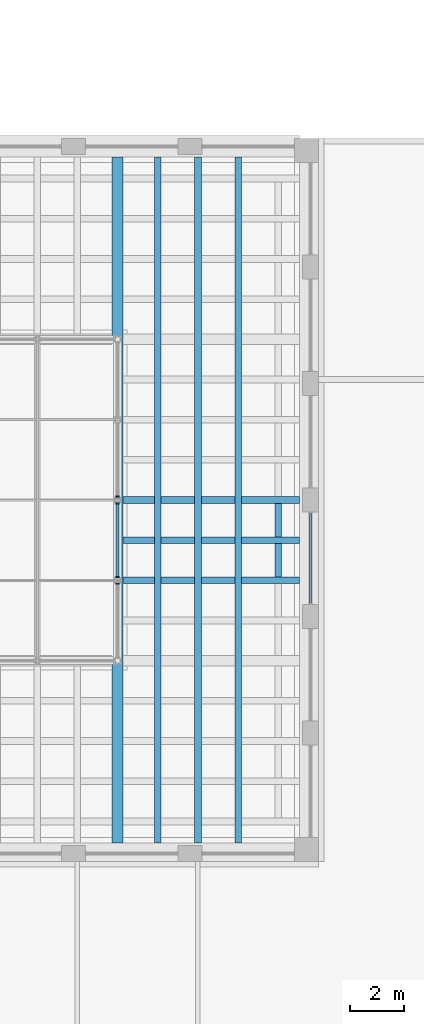
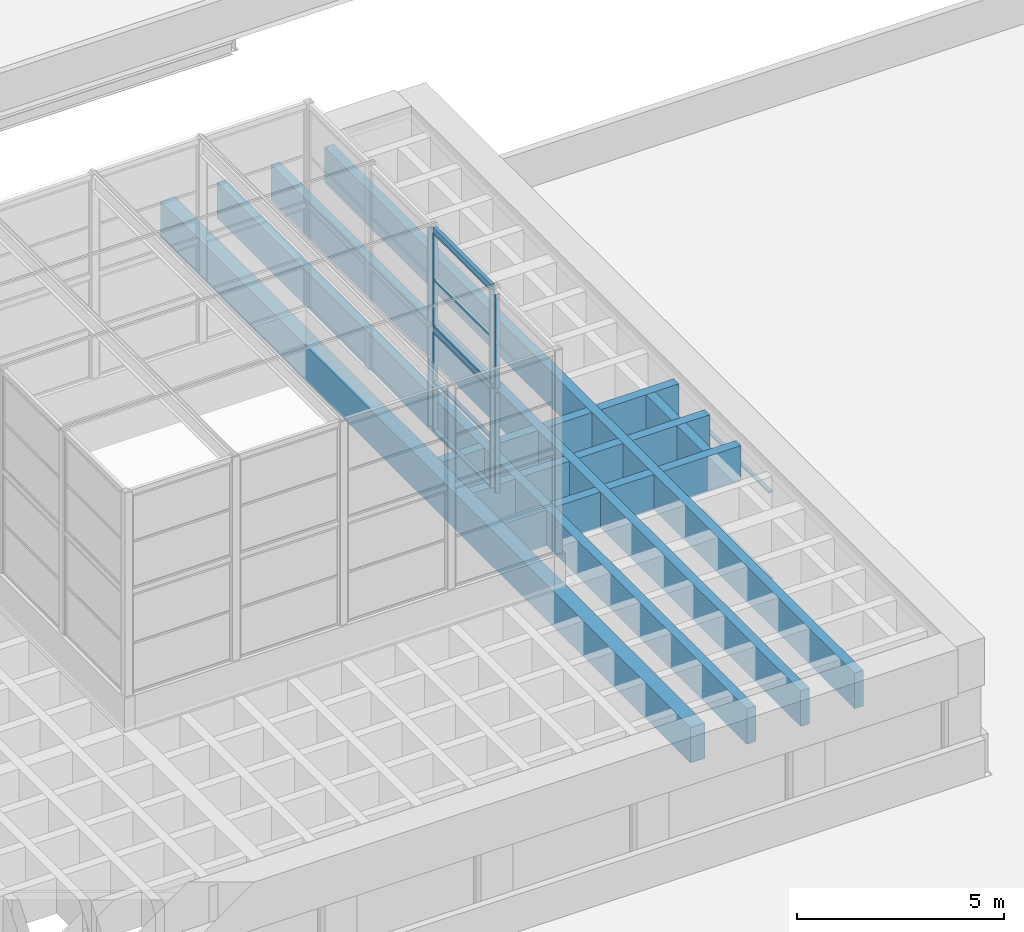
# One storey, part 31 of 50: 20 beams, 16 members, 7 elements without a shape of their own.
"""IFC4 building model written with IfcOpenShell, lengths in metres."""

from ifc_helpers import new_model, si_unit, direction, frame, origin, origin_2d, place, context, subcontext, project, spatial, rectangle, hollow_rectangle, extrude, material, layer, layer_set, material_profile, profile_set, type_object, element, aggregate, save


model = new_model("IFC4")

# Units and contexts
model_context = context("Model", 3, precision=1e-05, world=origin(), true_north=direction((0.0, 1.0)))
body_context = subcontext(model_context, "Body", "Model", "MODEL_VIEW")
ifc_project = project(units=[si_unit("LENGTHUNIT", "METRE"), si_unit("AREAUNIT", "SQUARE_METRE"), si_unit("VOLUMEUNIT", "CUBIC_METRE"), si_unit("PLANEANGLEUNIT", "RADIAN"), si_unit("MASSUNIT", "GRAM", prefix="KILO")], contexts=[model_context])

# Site, building, storey
site_placement = place(None, origin())
site = spatial("IfcSite", under=ifc_project, at=site_placement, CompositionType="ELEMENT")
building_placement = place(site_placement, origin())
building = spatial("IfcBuilding", under=site, at=building_placement, Name="Corbel Yard City Hall", CompositionType="ELEMENT")
storey_placement = place(building_placement, frame((0.0, 0.0, 15.0)))
storey = spatial("IfcBuildingStorey", under=building, at=storey_placement, Name="L03", CompositionType="ELEMENT", Elevation=15.0)

# Beams
ifc_material_1 = material(Name="Concrete N50 (50 MPa)", Category="concrete")
ifc_material_profile_1 = material_profile(ifc_material_1, rectangle(XDim=0.25, YDim=1.050048828125, at=origin_2d()), Name="250x1050")
ifc_profile_set_1 = profile_set([ifc_material_profile_1], Name="Concrete N50 (50 MPa)")
beam_type_1 = type_object("IfcBeamType", Name="Coffer cross rib RC 250X1050", PredefinedType="T_BEAM", material=ifc_profile_set_1)
for number, where, z_axis, x_axis, name in (
    (1, (142.5, 64.625, 3.125), (0.0, 1.0, 0.0), (-1.0, 0.0, 0.0), "Coffer cross rib RB3"),
    (2, (142.5, 66.125, 3.125), (0.0, 1.0, 0.0), (-1.0, 0.0, 0.0), "Coffer cross rib RB3"),
):
    element("IfcBeam", number, at=place(storey_placement, frame(where, z_axis=z_axis, x_axis=x_axis)), inside=storey, type_object=beam_type_1, Name=name, PredefinedType="T_BEAM", context=body_context, shape_type="SweptSolid", body=[
        extrude(rectangle(XDim=0.25, YDim=1.050048828125, at=origin_2d()), origin(), (0.0, 0.0, 1.0), 1.25),
    ])
beam_1_placement = place(storey_placement, frame((136.699951171875, 64.5, 3.125), z_axis=(1.0, 0.0, 0.0), x_axis=(0.0, 1.0, 0.0)))
element("IfcBeam", 3, at=beam_1_placement, inside=storey, type_object=beam_type_1, Name="Coffer cross rib RB3", PredefinedType="T_BEAM", context=body_context, shape_type="SweptSolid", body=[
    extrude(rectangle(XDim=0.25, YDim=1.050048828125, at=origin_2d()), origin(), (0.0, 0.0, 1.0), 1.175048828125),
])
for number, where, z_axis, x_axis, name in (
    (4, (138.125, 64.5, 3.125), (1.0, 0.0, 0.0), (0.0, 1.0, 0.0), "Coffer cross rib RB3"),
    (5, (139.625, 64.5, 3.125), (1.0, 0.0, 0.0), (0.0, 1.0, 0.0), "Coffer cross rib RB3"),
):
    element("IfcBeam", number, at=place(storey_placement, frame(where, z_axis=z_axis, x_axis=x_axis)), inside=storey, type_object=beam_type_1, Name=name, PredefinedType="T_BEAM", context=body_context, shape_type="SweptSolid", body=[
        extrude(rectangle(XDim=0.25, YDim=1.050048828125, at=origin_2d()), origin(), (0.0, 0.0, 1.0), 1.25),
    ])
beam_2_placement = place(storey_placement, frame((141.125, 64.5, 3.125), z_axis=(1.0, 0.0, 0.0), x_axis=(0.0, 1.0, 0.0)))
element("IfcBeam", 6, at=beam_2_placement, inside=storey, type_object=beam_type_1, Name="Coffer cross rib RB3", PredefinedType="T_BEAM", context=body_context, shape_type="SweptSolid", body=[
    extrude(rectangle(XDim=0.25, YDim=1.050048828125, at=origin_2d()), origin(), (0.0, 0.0, 1.0), 2.175048828125),
])
beam_3_placement = place(storey_placement, frame((136.699951171875, 66.0, 3.125), z_axis=(1.0, 0.0, 0.0), x_axis=(0.0, 1.0, 0.0)))
element("IfcBeam", 7, at=beam_3_placement, inside=storey, type_object=beam_type_1, Name="Coffer cross rib RB3", PredefinedType="T_BEAM", context=body_context, shape_type="SweptSolid", body=[
    extrude(rectangle(XDim=0.25, YDim=1.050048828125, at=origin_2d()), origin(), (0.0, 0.0, 1.0), 1.175048828125),
])
for number, where, z_axis, x_axis, name in (
    (8, (138.125, 66.0, 3.125), (1.0, 0.0, 0.0), (0.0, 1.0, 0.0), "Coffer cross rib RB3"),
    (9, (139.625, 66.0, 3.125), (1.0, 0.0, 0.0), (0.0, 1.0, 0.0), "Coffer cross rib RB3"),
):
    element("IfcBeam", number, at=place(storey_placement, frame(where, z_axis=z_axis, x_axis=x_axis)), inside=storey, type_object=beam_type_1, Name=name, PredefinedType="T_BEAM", context=body_context, shape_type="SweptSolid", body=[
        extrude(rectangle(XDim=0.25, YDim=1.050048828125, at=origin_2d()), origin(), (0.0, 0.0, 1.0), 1.25),
    ])
beam_4_placement = place(storey_placement, frame((141.125, 66.0, 3.125), z_axis=(1.0, 0.0, 0.0), x_axis=(0.0, 1.0, 0.0)))
element("IfcBeam", 10, at=beam_4_placement, inside=storey, type_object=beam_type_1, Name="Coffer cross rib RB3", PredefinedType="T_BEAM", context=body_context, shape_type="SweptSolid", body=[
    extrude(rectangle(XDim=0.25, YDim=1.050048828125, at=origin_2d()), origin(), (0.0, 0.0, 1.0), 2.175048828125),
])
beam_5_placement = place(storey_placement, frame((136.699951171875, 67.5, 3.125), z_axis=(1.0, 0.0, 0.0), x_axis=(0.0, 1.0, 0.0)))
element("IfcBeam", 11, at=beam_5_placement, inside=storey, type_object=beam_type_1, Name="Coffer cross rib RB3", PredefinedType="T_BEAM", context=body_context, shape_type="SweptSolid", body=[
    extrude(rectangle(XDim=0.25, YDim=1.050048828125, at=origin_2d()), origin(), (0.0, 0.0, 1.0), 1.175048828125),
])
for number, where, z_axis, x_axis, name in (
    (12, (138.125, 67.5, 3.125), (1.0, 0.0, 0.0), (0.0, 1.0, 0.0), "Coffer cross rib RB3"),
    (13, (139.625, 67.5, 3.125), (1.0, 0.0, 0.0), (0.0, 1.0, 0.0), "Coffer cross rib RB3"),
):
    element("IfcBeam", number, at=place(storey_placement, frame(where, z_axis=z_axis, x_axis=x_axis)), inside=storey, type_object=beam_type_1, Name=name, PredefinedType="T_BEAM", context=body_context, shape_type="SweptSolid", body=[
        extrude(rectangle(XDim=0.25, YDim=1.050048828125, at=origin_2d()), origin(), (0.0, 0.0, 1.0), 1.25),
    ])
beam_6_placement = place(storey_placement, frame((141.125, 67.5, 3.125), z_axis=(1.0, 0.0, 0.0), x_axis=(0.0, 1.0, 0.0)))
element("IfcBeam", 14, at=beam_6_placement, inside=storey, type_object=beam_type_1, Name="Coffer cross rib RB3", PredefinedType="T_BEAM", context=body_context, shape_type="SweptSolid", body=[
    extrude(rectangle(XDim=0.25, YDim=1.050048828125, at=origin_2d()), origin(), (0.0, 0.0, 1.0), 2.175048828125),
])
ifc_material_profile_2 = material_profile(ifc_material_1, rectangle(XDim=0.25, YDim=1.050048828125, at=origin_2d()), Name="250x1050")
ifc_profile_set_2 = profile_set([ifc_material_profile_2], Name="Concrete N50 (50 MPa)")
beam_type_2 = type_object("IfcBeamType", Name="Coffer rib RC 250X1050", PredefinedType="T_BEAM", material=ifc_profile_set_2)
for number, where, z_axis, x_axis, name in (
    (15, (138.0, 54.699951171875, 3.125), (0.0, 1.0, 0.0), (-1.0, 0.0, 0.0), "Coffer rib RB1"),
    (16, (139.5, 54.699951171875, 3.125), (0.0, 1.0, 0.0), (-1.0, 0.0, 0.0), "Coffer rib RB1"),
    (17, (141.0, 54.699951171875, 3.125), (0.0, 1.0, 0.0), (-1.0, 0.0, 0.0), "Coffer rib RB1"),
):
    element("IfcBeam", number, at=place(storey_placement, frame(where, z_axis=z_axis, x_axis=x_axis)), inside=storey, type_object=beam_type_2, Name=name, PredefinedType="T_BEAM", context=body_context, shape_type="SweptSolid", body=[
        extrude(rectangle(XDim=0.25, YDim=1.050048828125, at=origin_2d()), origin(), (0.0, 0.0, 1.0), 25.60009765625),
    ])
ifc_material_2 = material(Name="Steel Grade C450L0", Category="steel")
ifc_material_profile_3 = material_profile(ifc_material_2, hollow_rectangle(XDim=0.10009765625, YDim=0.14990234375, WallThickness=0.006103515625, at=origin_2d()), Name="150x100x6.0RHS")
ifc_profile_set_3 = profile_set([ifc_material_profile_3], Name="Steel Grade C450L0")
beam_type_3 = type_object("IfcBeamType", Name="Lantern frame beam 150x100x6.0RHS", PredefinedType="BEAM", material=ifc_profile_set_3)
for number, where, z_axis, x_axis, name in (
    (18, (136.5, 64.60009765625, 10.574951171875), (0.0, 1.0, 0.0), (-1.0, 0.0, 0.0), "Lantern frame beam 150x100x6.0RHS SB22"),
    (19, (136.5, 64.60009765625, 7.64990234375), (0.0, 1.0, 0.0), (-1.0, 0.0, 0.0), "Lantern frame beam 150x100x6.0RHS SB22"),
):
    element("IfcBeam", number, at=place(storey_placement, frame(where, z_axis=z_axis, x_axis=x_axis)), inside=storey, type_object=beam_type_3, Name=name, PredefinedType="BEAM", context=body_context, shape_type="SweptSolid", body=[
        extrude(hollow_rectangle(XDim=0.10009765625, YDim=0.14990234375, WallThickness=0.006103515625, at=origin_2d()), origin(), (0.0, 0.0, 1.0), 2.7998046875),
    ])
ifc_material_profile_4 = material_profile(ifc_material_1, rectangle(XDim=0.39990234375, YDim=1.050048828125, at=origin_2d()), Name="400x1050")
ifc_profile_set_4 = profile_set([ifc_material_profile_4], Name="Concrete N50 (50 MPa)")
beam_type_4 = type_object("IfcBeamType", Name="Lantern trimmer rib RC 400X1050", PredefinedType="BEAM", material=ifc_profile_set_4)
beam_7_placement = place(storey_placement, frame((136.5, 54.699951171875, 3.125), z_axis=(0.0, 1.0, 0.0), x_axis=(-1.0, 0.0, 0.0)))
element("IfcBeam", 20, at=beam_7_placement, inside=storey, type_object=beam_type_4, Name="Lantern trimmer rib RB2", PredefinedType="BEAM", context=body_context, shape_type="SweptSolid", body=[
    extrude(rectangle(XDim=0.39990234375, YDim=1.050048828125, at=origin_2d()), origin(), (0.0, 0.0, 1.0), 25.60009765625),
])

# Curtain wall, member
ifc_material_3 = material(Name="Aluminium extrusion", Category="aluminium")
ifc_layer = layer(ifc_material_3, 0.1201171875)
ifc_layer_set = layer_set([ifc_layer], Name="Aluminium extrusion")
curtain_wall_type = type_object("IfcCurtainWallType", Name="CW3", PredefinedType="USERDEFINED", material=ifc_layer_set)
curtain_wall_1_placement = place(storey_placement, origin())
curtain_wall_1 = element("IfcCurtainWall", 21, at=curtain_wall_1_placement, inside=storey, type_object=curtain_wall_type, Name="Lantern glazing", ObjectType="CURTAIN WALL", PredefinedType="USERDEFINED")
ifc_material_profile_5 = material_profile(ifc_material_3, rectangle(XDim=0.1201171875, YDim=0.050048828125, at=origin_2d()), Name="120x50")
ifc_profile_set_5 = profile_set([ifc_material_profile_5], Name="Aluminium extrusion")
member_type_1 = type_object("IfcMemberType", Name="ML3", PredefinedType="MULLION", material=ifc_profile_set_5)
member_1_placement = place(storey_placement, frame((136.5, 64.375, 4.64990234375), z_axis=(0.0, 0.0, 1.0), x_axis=(-1.0, 0.0, 0.0)))
member_1 = element("IfcMember", 22, at=member_1_placement, type_object=member_type_1, Name="CW3 mullion 2", PredefinedType="MULLION", context=body_context, shape_type="SweptSolid", body=[
    extrude(rectangle(XDim=0.1201171875, YDim=0.050048828125, at=origin_2d()), origin(), (0.0, 0.0, 1.0), 2.925048828125),
])
aggregate(curtain_wall_1, [member_1])

# Curtain wall, members
curtain_wall_2_placement = place(storey_placement, origin())
curtain_wall_2 = element("IfcCurtainWall", 23, at=curtain_wall_2_placement, inside=storey, type_object=curtain_wall_type, Name="Lantern glazing", ObjectType="CURTAIN WALL", PredefinedType="USERDEFINED")
member_2_placement = place(storey_placement, frame((136.5, 64.625, 4.64990234375), z_axis=(0.0, 0.0, 1.0), x_axis=(-1.0, 0.0, 0.0)))
member_2 = element("IfcMember", 24, at=member_2_placement, type_object=member_type_1, Name="CW3 mullion 1", PredefinedType="MULLION", context=body_context, shape_type="SweptSolid", body=[
    extrude(rectangle(XDim=0.1201171875, YDim=0.050048828125, at=origin_2d()), origin(), (0.0, 0.0, 1.0), 2.925048828125),
])
member_3_placement = place(storey_placement, frame((136.5, 67.375, 4.64990234375), z_axis=(0.0, 0.0, 1.0), x_axis=(-1.0, 0.0, 0.0)))
member_3 = element("IfcMember", 25, at=member_3_placement, type_object=member_type_1, Name="CW3 mullion 2", PredefinedType="MULLION", context=body_context, shape_type="SweptSolid", body=[
    extrude(rectangle(XDim=0.1201171875, YDim=0.050048828125, at=origin_2d()), origin(), (0.0, 0.0, 1.0), 2.925048828125),
])

# Curtain wall, member
curtain_wall_3_placement = place(storey_placement, origin())
curtain_wall_3 = element("IfcCurtainWall", 26, at=curtain_wall_3_placement, inside=storey, type_object=curtain_wall_type, Name="Lantern glazing", ObjectType="CURTAIN WALL", PredefinedType="USERDEFINED")
member_4_placement = place(storey_placement, frame((136.5, 67.625, 4.64990234375), z_axis=(0.0, 0.0, 1.0), x_axis=(-1.0, 0.0, 0.0)))
member_4 = element("IfcMember", 27, at=member_4_placement, type_object=member_type_1, Name="CW3 mullion 1", PredefinedType="MULLION", context=body_context, shape_type="SweptSolid", body=[
    extrude(rectangle(XDim=0.1201171875, YDim=0.050048828125, at=origin_2d()), origin(), (0.0, 0.0, 1.0), 2.925048828125),
])
aggregate(curtain_wall_3, [member_4])

curtain_wall_4_placement = place(storey_placement, origin())
curtain_wall_4 = element("IfcCurtainWall", 28, at=curtain_wall_4_placement, inside=storey, type_object=curtain_wall_type, Name="Lantern glazing", ObjectType="CURTAIN WALL", PredefinedType="USERDEFINED")
member_5_placement = place(storey_placement, frame((136.5, 64.375, 7.72509765625), z_axis=(0.0, 0.0, 1.0), x_axis=(-1.0, 0.0, 0.0)))
member_5 = element("IfcMember", 29, at=member_5_placement, type_object=member_type_1, Name="CW3 mullion 2", PredefinedType="MULLION", context=body_context, shape_type="SweptSolid", body=[
    extrude(rectangle(XDim=0.1201171875, YDim=0.050048828125, at=origin_2d()), origin(), (0.0, 0.0, 1.0), 2.77490234375),
])
aggregate(curtain_wall_4, [member_5])

# Curtain wall, members
curtain_wall_5_placement = place(storey_placement, origin())
curtain_wall_5 = element("IfcCurtainWall", 30, at=curtain_wall_5_placement, inside=storey, type_object=curtain_wall_type, Name="Lantern glazing", ObjectType="CURTAIN WALL", PredefinedType="USERDEFINED")
member_6_placement = place(storey_placement, frame((136.5, 64.625, 7.72509765625), z_axis=(0.0, 0.0, 1.0), x_axis=(-1.0, 0.0, 0.0)))
member_6 = element("IfcMember", 31, at=member_6_placement, type_object=member_type_1, Name="CW3 mullion 1", PredefinedType="MULLION", context=body_context, shape_type="SweptSolid", body=[
    extrude(rectangle(XDim=0.1201171875, YDim=0.050048828125, at=origin_2d()), origin(), (0.0, 0.0, 1.0), 2.77490234375),
])
member_7_placement = place(storey_placement, frame((136.5, 67.375, 7.72509765625), z_axis=(0.0, 0.0, 1.0), x_axis=(-1.0, 0.0, 0.0)))
member_7 = element("IfcMember", 32, at=member_7_placement, type_object=member_type_1, Name="CW3 mullion 2", PredefinedType="MULLION", context=body_context, shape_type="SweptSolid", body=[
    extrude(rectangle(XDim=0.1201171875, YDim=0.050048828125, at=origin_2d()), origin(), (0.0, 0.0, 1.0), 2.77490234375),
])

# Curtain wall, member
curtain_wall_6_placement = place(storey_placement, origin())
curtain_wall_6 = element("IfcCurtainWall", 33, at=curtain_wall_6_placement, inside=storey, type_object=curtain_wall_type, Name="Lantern glazing", ObjectType="CURTAIN WALL", PredefinedType="USERDEFINED")
member_8_placement = place(storey_placement, frame((136.5, 67.625, 7.72509765625), z_axis=(0.0, 0.0, 1.0), x_axis=(-1.0, 0.0, 0.0)))
member_8 = element("IfcMember", 34, at=member_8_placement, type_object=member_type_1, Name="CW3 mullion 1", PredefinedType="MULLION", context=body_context, shape_type="SweptSolid", body=[
    extrude(rectangle(XDim=0.1201171875, YDim=0.050048828125, at=origin_2d()), origin(), (0.0, 0.0, 1.0), 2.77490234375),
])
aggregate(curtain_wall_6, [member_8])

# Member
ifc_material_profile_6 = material_profile(ifc_material_3, rectangle(XDim=0.10009765625, YDim=0.050048828125, at=origin_2d()), Name="100x50")
ifc_profile_set_6 = profile_set([ifc_material_profile_6], Name="Aluminium extrusion")
member_type_2 = type_object("IfcMemberType", Name="TR3", PredefinedType="USERDEFINED", material=ifc_profile_set_6)
member_9_placement = place(storey_placement, frame((136.5, 64.64990234375, 4.675048828125), z_axis=(0.0, 1.0, 0.0), x_axis=(-1.0, 0.0, 0.0)))
member_9 = element("IfcMember", 35, at=member_9_placement, type_object=member_type_2, Name="CW3 transom 1.1", ObjectType="TRANSOM", PredefinedType="USERDEFINED", context=body_context, shape_type="SweptSolid", body=[
    extrude(rectangle(XDim=0.10009765625, YDim=0.050048828125, at=origin_2d()), origin(), (0.0, 0.0, 1.0), 2.7001953125),
])

member_10_placement = place(storey_placement, frame((136.5, 64.64990234375, 6.112548828125), z_axis=(0.0, 1.0, 0.0), x_axis=(-1.0, 0.0, 0.0)))
member_10 = element("IfcMember", 36, at=member_10_placement, type_object=member_type_2, Name="CW3 transom 1.2", ObjectType="TRANSOM", PredefinedType="USERDEFINED", context=body_context, shape_type="SweptSolid", body=[
    extrude(rectangle(XDim=0.10009765625, YDim=0.050048828125, at=origin_2d()), origin(), (0.0, 0.0, 1.0), 2.7001953125),
])

member_11_placement = place(storey_placement, frame((136.5, 64.64990234375, 7.550048828125), z_axis=(0.0, 1.0, 0.0), x_axis=(-1.0, 0.0, 0.0)))
member_11 = element("IfcMember", 37, at=member_11_placement, type_object=member_type_2, Name="CW3 transom 1.3", ObjectType="TRANSOM", PredefinedType="USERDEFINED", context=body_context, shape_type="SweptSolid", body=[
    extrude(rectangle(XDim=0.10009765625, YDim=0.050048828125, at=origin_2d()), origin(), (0.0, 0.0, 1.0), 2.7001953125),
])

aggregate(curtain_wall_2, [member_2, member_3, member_9, member_10, member_11])

member_12_placement = place(storey_placement, frame((136.5, 64.64990234375, 7.75), z_axis=(0.0, 1.0, 0.0), x_axis=(-1.0, 0.0, 0.0)))
member_12 = element("IfcMember", 38, at=member_12_placement, type_object=member_type_2, Name="CW3 transom 1.1", ObjectType="TRANSOM", PredefinedType="USERDEFINED", context=body_context, shape_type="SweptSolid", body=[
    extrude(rectangle(XDim=0.10009765625, YDim=0.050048828125, at=origin_2d()), origin(), (0.0, 0.0, 1.0), 2.7001953125),
])

member_13_placement = place(storey_placement, frame((136.5, 64.64990234375, 9.112548828125), z_axis=(0.0, 1.0, 0.0), x_axis=(-1.0, 0.0, 0.0)))
member_13 = element("IfcMember", 39, at=member_13_placement, type_object=member_type_2, Name="CW3 transom 1.2", ObjectType="TRANSOM", PredefinedType="USERDEFINED", context=body_context, shape_type="SweptSolid", body=[
    extrude(rectangle(XDim=0.10009765625, YDim=0.050048828125, at=origin_2d()), origin(), (0.0, 0.0, 1.0), 2.7001953125),
])

member_14_placement = place(storey_placement, frame((136.5, 64.64990234375, 10.47509765625), z_axis=(0.0, 1.0, 0.0), x_axis=(-1.0, 0.0, 0.0)))
member_14 = element("IfcMember", 40, at=member_14_placement, type_object=member_type_2, Name="CW3 transom 1.3", ObjectType="TRANSOM", PredefinedType="USERDEFINED", context=body_context, shape_type="SweptSolid", body=[
    extrude(rectangle(XDim=0.10009765625, YDim=0.050048828125, at=origin_2d()), origin(), (0.0, 0.0, 1.0), 2.7001953125),
])

aggregate(curtain_wall_5, [member_6, member_7, member_12, member_13, member_14])

# Curtain wall, members
curtain_wall_7_placement = place(storey_placement, origin())
curtain_wall_7 = element("IfcCurtainWall", 41, at=curtain_wall_7_placement, inside=storey, type_object=curtain_wall_type, Name="Chamber clerestory glazing", ObjectType="CURTAIN WALL", PredefinedType="USERDEFINED")
member_15_placement = place(storey_placement, frame((143.699951171875, 63.64990234375, 0.02490234375), z_axis=(0.0, 1.0, 0.0), x_axis=(-1.0, 0.0, 0.0)))
member_15 = element("IfcMember", 42, at=member_15_placement, type_object=member_type_2, Name="CW3 transom 1.1", ObjectType="TRANSOM", PredefinedType="USERDEFINED", context=body_context, shape_type="SweptSolid", body=[
    extrude(rectangle(XDim=0.10009765625, YDim=0.050048828125, at=origin_2d()), origin(), (0.0, 0.0, 1.0), 3.35009765625),
])
member_16_placement = place(storey_placement, frame((143.699951171875, 63.64990234375, 2.574951171875), z_axis=(0.0, 1.0, 0.0), x_axis=(-1.0, 0.0, 0.0)))
member_16 = element("IfcMember", 43, at=member_16_placement, type_object=member_type_2, Name="CW3 transom 1.2", ObjectType="TRANSOM", PredefinedType="USERDEFINED", context=body_context, shape_type="SweptSolid", body=[
    extrude(rectangle(XDim=0.10009765625, YDim=0.050048828125, at=origin_2d()), origin(), (0.0, 0.0, 1.0), 3.35009765625),
])
aggregate(curtain_wall_7, [member_15, member_16])

save(model, "model.ifc")
